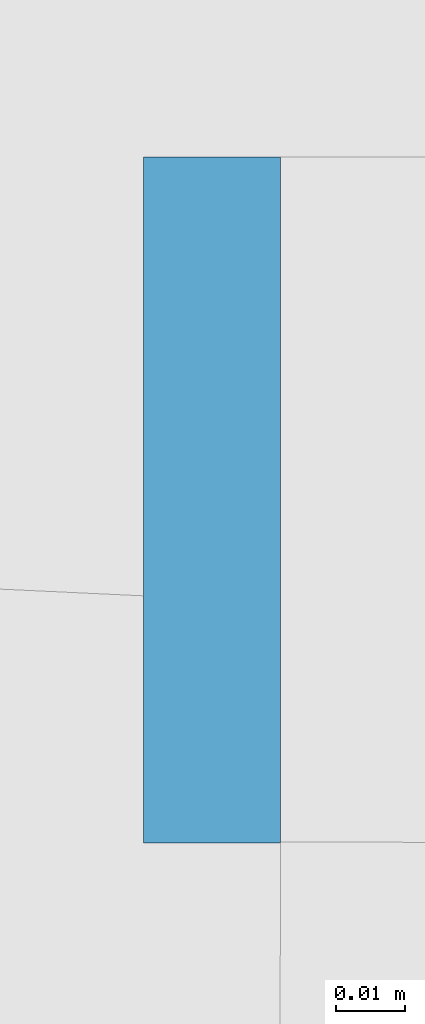
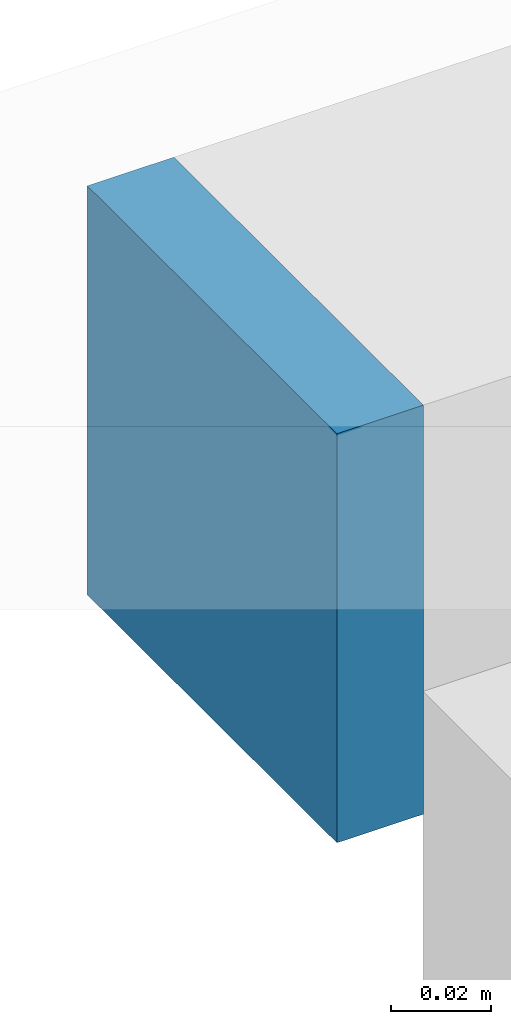
# One storey, part 30 of 36: 1 discrete accessory.
"""IFC4 building model written with IfcOpenShell, lengths in metres."""

from ifc_helpers import new_model, si_unit, direction, frame, origin, origin_2d, place, context, subcontext, project, spatial, rectangle, extrude, material, material_profile, profile_set, type_object, element, save


model = new_model("IFC4")

# Units and contexts
model_context = context("Model", 3, precision=1e-05, world=origin(), true_north=direction((0.0, 1.0)))
body_context = subcontext(model_context, "Body", "Model", "MODEL_VIEW")
ifc_project = project(units=[si_unit("LENGTHUNIT", "METRE"), si_unit("AREAUNIT", "SQUARE_METRE"), si_unit("VOLUMEUNIT", "CUBIC_METRE"), si_unit("PLANEANGLEUNIT", "RADIAN"), si_unit("MASSUNIT", "GRAM", prefix="KILO")], contexts=[model_context])

# Site, building, storey
site_placement = place(None, origin())
site = spatial("IfcSite", under=ifc_project, at=site_placement, CompositionType="ELEMENT")
building_placement = place(site_placement, origin())
building = spatial("IfcBuilding", under=site, at=building_placement, Name="Ipe Terrace Towers", CompositionType="ELEMENT")
storey_placement = place(building_placement, frame((0.0, 0.0, 264.89990234375)))
storey = spatial("IfcBuildingStorey", under=building, at=storey_placement, Name="Roof", CompositionType="ELEMENT", Elevation=264.89990234375)

# Discrete accessory
ifc_material = material(Name="Steel S355", Category="steel")
ifc_material_profile = material_profile(ifc_material, rectangle(XDim=0.10009765625, YDim=0.10009765625, at=origin_2d()), Name="MAST END PLATE 100 x 100 x 20")
ifc_profile_set = profile_set([ifc_material_profile], Name="Steel S355")
discrete_accessory_type = type_object("IfcDiscreteAccessoryType", Name="MAST END PLATE 100 x 100 x 20", PredefinedType="BRACKET", material=ifc_profile_set)
discrete_accessory_placement = place(storey_placement, frame((34.9609375, 2.0390625, 32.3720703125), z_axis=(-1.0, 0.0, 0.0), x_axis=(0.0, -1.0, 0.0)))
element("IfcDiscreteAccessory", 1, at=discrete_accessory_placement, inside=storey, type_object=discrete_accessory_type, Name="mast end plate", PredefinedType="BRACKET", context=body_context, shape_type="SweptSolid", body=[
    extrude(rectangle(XDim=0.10009765625, YDim=0.10009765625, at=origin_2d()), origin(), (0.0, 0.0, 1.0), 0.02001953125),
])

save(model, "model.ifc")
